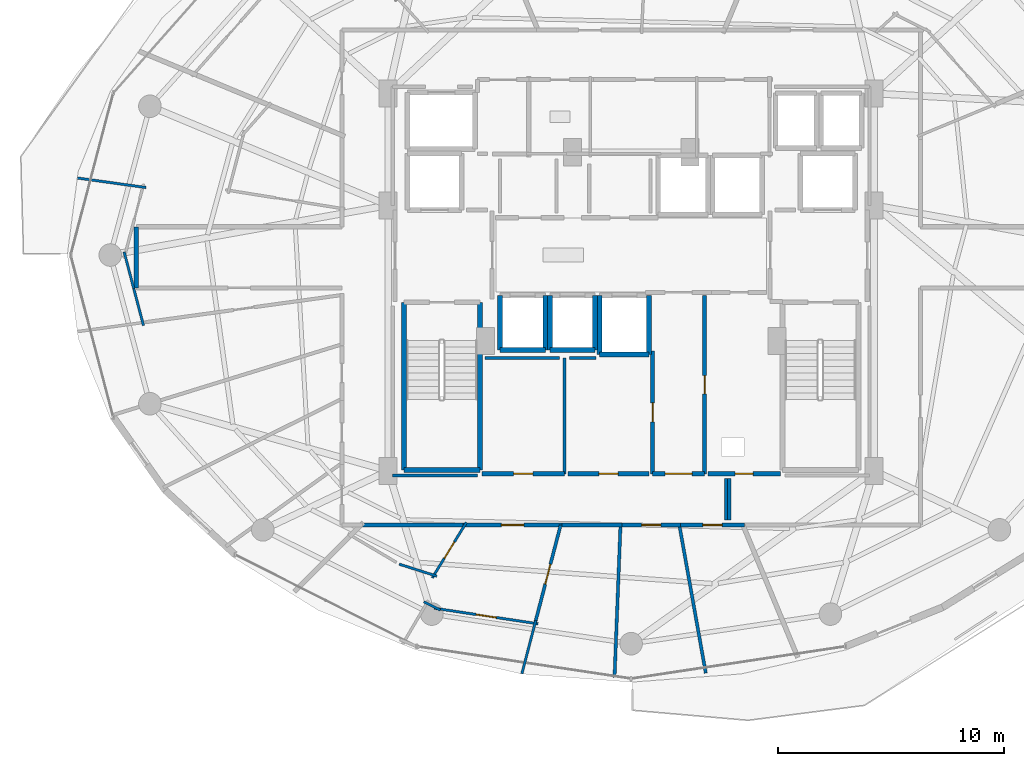
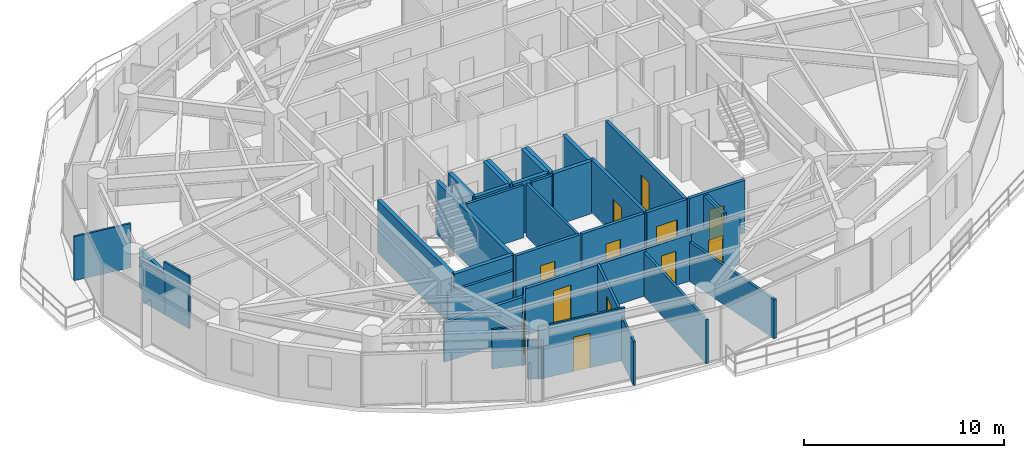
# One storey, part 21 of 29: 41 walls, 12 doors, 12 openings.
"""IFC4 building model written with IfcOpenShell, lengths in metres."""

from ifc_helpers import new_model, si_unit, direction, frame, frame_2d, origin, place, context, subcontext, project, spatial, rectangle, extrude, material, layer, layer_set, type_object, element, fill, save


model = new_model("IFC4")

# Units and contexts
model_context = context("Model", 3, precision=1e-05, world=origin(), true_north=direction((0.0, 1.0)))
body_context = subcontext(model_context, "Body", "Model", "MODEL_VIEW")
ifc_project = project(units=[si_unit("LENGTHUNIT", "METRE"), si_unit("AREAUNIT", "SQUARE_METRE"), si_unit("VOLUMEUNIT", "CUBIC_METRE"), si_unit("PLANEANGLEUNIT", "RADIAN"), si_unit("MASSUNIT", "GRAM", prefix="KILO")], contexts=[model_context])

# Site, building, storey
site_placement = place(None, origin())
site = spatial("IfcSite", under=ifc_project, at=site_placement, CompositionType="ELEMENT")
building_placement = place(site_placement, origin())
building = spatial("IfcBuilding", under=site, at=building_placement, Name="Vorneva Point Tower", CompositionType="ELEMENT")
storey_placement = place(building_placement, frame((0.0, 0.0, 171.10009765625)))
storey = spatial("IfcBuildingStorey", under=building, at=storey_placement, Name="L46", CompositionType="ELEMENT", Elevation=171.10009765625)

# Walls
ifc_material_1 = material(Name="Fire-rated acoustic gypsum stud partition", Category="gypsum")
ifc_layer_1 = layer(ifc_material_1, 0.110107421875)
ifc_layer_set_1 = layer_set([ifc_layer_1], Name="Fire-rated acoustic gypsum stud partition")
wall_type_1 = type_object("IfcWallType", Name="WL-PART-110", PredefinedType="PARTITIONING", material=ifc_layer_set_1)
wall_1_placement = place(storey_placement, frame((15.564453125, 26.135498046875, 0.0), z_axis=(0.0, 0.0, 1.0), x_axis=(0.254207281438, -0.967149759894, 0.0)))
element("IfcWall", 1, at=wall_1_placement, inside=storey, type_object=wall_type_1, Name="L46 Interior Partition 089", PredefinedType="PARTITIONING", context=body_context, shape_type="SweptSolid", body=[
    extrude(rectangle(XDim=1.6806640625, YDim=0.110107421875, at=frame_2d((0.84033203125, 0.0))), origin(), (0.0, 0.0, 1.0), 2.391845703125),
])
wall_2_placement = place(storey_placement, frame((15.96484375, 24.61279296875, 0.0), z_axis=(0.0, 0.0, 1.0), x_axis=(0.254285908831, -0.96712908992, 0.0)))
element("IfcWall", 2, at=wall_2_placement, inside=storey, type_object=wall_type_1, Name="L46 Interior Partition 090", PredefinedType="PARTITIONING", context=body_context, shape_type="SweptSolid", body=[
    extrude(rectangle(XDim=1.79638671875, YDim=0.110107421875, at=frame_2d((0.898193359375, 0.0))), origin(), (0.0, 0.0, 1.0), 3.199951171875),
])
wall_3_placement = place(storey_placement, frame((13.50341796875, 29.408203125, 0.0), z_axis=(0.0, 0.0, 1.0), x_axis=(0.990445036815, -0.137908045623, 0.0)))
element("IfcWall", 3, at=wall_3_placement, inside=storey, type_object=wall_type_1, Name="L46 Interior Partition 092", PredefinedType="PARTITIONING", context=body_context, shape_type="SweptSolid", body=[
    extrude(rectangle(XDim=3.0556640625, YDim=0.110107421875, at=frame_2d((1.52783203125, 0.0))), origin(), (0.0, 0.0, 1.0), 2.68798828125),
])

# Wall, opening, door
wall_4_placement = place(storey_placement, frame((30.71142578125, 14.169189453125, 0.0), z_axis=(0.0, 0.0, 1.0), x_axis=(-0.524536274856, -0.851388099729, 0.0)))
wall_4 = element("IfcWall", 4, at=wall_4_placement, inside=storey, type_object=wall_type_1, Name="L46 Interior Partition 099", PredefinedType="PARTITIONING", context=body_context, shape_type="SweptSolid", body=[
    extrude(rectangle(XDim=2.88623046875, YDim=0.110107421875, at=frame_2d((1.443115234375, 0.0))), origin(), (0.0, 0.0, 1.0), 2.833984375),
])
opening_1_placement = place(wall_4_placement, frame((1.01806640625, 0.0, 0.0)))
opening_1 = element("IfcOpeningElement", 5, at=opening_1_placement, cuts=wall_4, Name="Opening ID-02", PredefinedType="OPENING", context=body_context, shape_type="SweptSolid", body=[
    extrude(rectangle(XDim=0.85009765625, YDim=2.10009765625, at=frame_2d((0.425048828125, 1.050048828125))), frame((0.0, 0.06982421875, 0.0), z_axis=(0.0, -1.0, 0.0), x_axis=(1.0, 0.0, 0.0)), (0.0, 0.0, 1.0), 0.139892578125),
])
ifc_material_2 = material(Name="Engineered oak fire-rated door leaf", Category="wood")
door_type_1 = type_object("IfcDoorType", Name="DR-BATH-850", OperationType="NOTDEFINED", PredefinedType="DOOR", material=ifc_material_2)
door_1_placement = place(opening_1_placement, origin())
door_1 = element("IfcDoor", 6, at=door_1_placement, inside=storey, type_object=door_type_1, Name="L46 Door Living and Dining Room L46-05 / Bathroom L46-05", OperationType="SINGLE_SWING_LEFT", OverallHeight=2.10009765625, OverallWidth=0.85009765625, PredefinedType="DOOR", context=body_context, shape_type="SweptSolid", body=[
    extrude(rectangle(XDim=0.85009765625, YDim=2.10009765625, at=frame_2d((0.425048828125, 1.050048828125))), frame((0.0, 0.02490234375, 0.0), z_axis=(0.0, -1.0, 0.0), x_axis=(1.0, 0.0, 0.0)), (0.0, 0.0, 1.0), 0.050048828125),
])
fill(opening_1, door_1)

# Walls
wall_5_placement = place(storey_placement, frame((29.404296875, 11.788330078125, 0.0), z_axis=(0.0, 0.0, 1.0), x_axis=(-0.952663508426, 0.304026708881, 0.0)))
element("IfcWall", 7, at=wall_5_placement, inside=storey, type_object=wall_type_1, Name="L46 Interior Partition 100", PredefinedType="PARTITIONING", context=body_context, shape_type="SweptSolid", body=[
    extrude(rectangle(XDim=1.75048828125, YDim=0.110107421875, at=frame_2d((0.875244140625, 0.0))), origin(), (0.0, 0.0, 1.0), 2.391845703125),
])
wall_6_placement = place(storey_placement, frame((28.8271484375, 10.6533203125, 0.0), z_axis=(0.0, 0.0, 1.0), x_axis=(0.892195428052, -0.451649552378, 0.0)))
element("IfcWall", 8, at=wall_6_placement, inside=storey, type_object=wall_type_1, Name="L46 Interior Partition 103", PredefinedType="PARTITIONING", context=body_context, shape_type="SweptSolid", body=[
    extrude(rectangle(XDim=0.8134765625, YDim=0.110107421875, at=frame_2d((0.40673828125, 0.0))), origin(), (0.0, 0.0, 1.0), 2.391845703125),
])

# Wall, opening, door
wall_7_placement = place(storey_placement, frame((29.28955078125, 10.369873046875, 0.0), z_axis=(0.0, 0.0, 1.0), x_axis=(0.988895858235, -0.148610166425, 0.0)))
wall_7 = element("IfcWall", 9, at=wall_7_placement, inside=storey, type_object=wall_type_1, Name="L46 Interior Partition 104", PredefinedType="PARTITIONING", context=body_context, shape_type="SweptSolid", body=[
    extrude(rectangle(XDim=4.6474609375, YDim=0.110107421875, at=frame_2d((2.32373046875, 0.0))), origin(), (0.0, 0.0, 1.0), 3.199951171875),
])
opening_2_placement = place(wall_7_placement, frame((1.873779296875, 0.0, 0.0)))
opening_2 = element("IfcOpeningElement", 10, at=opening_2_placement, cuts=wall_7, Name="Opening ID-01", PredefinedType="OPENING", context=body_context, shape_type="SweptSolid", body=[
    extrude(rectangle(XDim=0.89990234375, YDim=2.10009765625, at=frame_2d((0.449951171875, 1.050048828125))), frame((0.0, 0.06982421875, 0.0), z_axis=(0.0, -1.0, 0.0), x_axis=(1.0, 0.0, 0.0)), (0.0, 0.0, 1.0), 0.139892578125),
])
door_type_2 = type_object("IfcDoorType", Name="DR-ROOM-900", OperationType="NOTDEFINED", PredefinedType="DOOR", material=ifc_material_2)
door_2_placement = place(opening_2_placement, origin())
door_2 = element("IfcDoor", 11, at=door_2_placement, inside=storey, type_object=door_type_2, Name="L46 Door Living and Dining Room L46-05 / Kitchen L46-05", OperationType="SINGLE_SWING_RIGHT", OverallHeight=2.10009765625, OverallWidth=0.89990234375, PredefinedType="DOOR", context=body_context, shape_type="SweptSolid", body=[
    extrude(rectangle(XDim=0.89990234375, YDim=2.10009765625, at=frame_2d((0.449951171875, 1.050048828125))), frame((0.0, 0.02490234375, 0.0), z_axis=(0.0, -1.0, 0.0), x_axis=(1.0, 0.0, 0.0)), (0.0, 0.0, 1.0), 0.050048828125),
])
fill(opening_2, door_2)

# Walls
wall_8_placement = place(storey_placement, frame((33.16552734375, 7.473388671875, 0.0), z_axis=(0.0, 0.0, 1.0), x_axis=(0.252710924929, 0.967541827737, 0.0)))
element("IfcWall", 12, at=wall_8_placement, inside=storey, type_object=wall_type_1, Name="L46 Interior Partition 107", PredefinedType="PARTITIONING", context=body_context, shape_type="SweptSolid", body=[
    extrude(rectangle(XDim=2.44140625, YDim=0.110107421875, at=frame_2d((1.220703125, 0.0))), origin(), (0.0, 0.0, 1.0), 2.68798828125),
])
ifc_layer_2 = layer(ifc_material_1, 0.139892578125)
ifc_layer_set_2 = layer_set([ifc_layer_2], Name="Fire-rated acoustic gypsum stud partition")
wall_type_2 = type_object("IfcWallType", Name="WL-PART-140", PredefinedType="PARTITIONING", material=ifc_layer_set_2)
wall_9_placement = place(storey_placement, frame((35.050048828125, 16.320068359375, 0.0), z_axis=(0.0, 0.0, 1.0), x_axis=(0.0, 1.0, 0.0)))
element("IfcWall", 13, at=wall_9_placement, inside=storey, type_object=wall_type_2, Name="L46 Interior Partition 026", PredefinedType="PARTITIONING", context=body_context, shape_type="SweptSolid", body=[
    extrude(rectangle(XDim=5.1298828125, YDim=0.139892578125, at=frame_2d((2.56494140625, 0.0))), origin(), (0.0, 0.0, 1.0), 3.199951171875),
])

# Wall, opening, door
wall_10_placement = place(storey_placement, frame((33.7470703125, 9.699951171875, 0.0), z_axis=(0.0, 0.0, 1.0), x_axis=(0.252463899176, 0.967606314372, 0.0)))
wall_10 = element("IfcWall", 14, at=wall_10_placement, inside=storey, type_object=wall_type_2, Name="L46 Interior Partition 106", PredefinedType="PARTITIONING", context=body_context, shape_type="SweptSolid", body=[
    extrude(rectangle(XDim=4.495849609375, YDim=0.139892578125, at=frame_2d((2.248046875, 0.0))), origin(), (0.0, 0.0, 1.0), 2.833984375),
])
opening_3_placement = place(wall_10_placement, frame((1.7978515625, 0.0, 0.0)))
opening_3 = element("IfcOpeningElement", 15, at=opening_3_placement, cuts=wall_10, Name="Opening ID-01", PredefinedType="OPENING", context=body_context, shape_type="SweptSolid", body=[
    extrude(rectangle(XDim=0.89990234375, YDim=2.10009765625, at=frame_2d((0.449951171875, 1.050048828125))), frame((0.0, 0.0849609375, 0.0), z_axis=(0.0, -1.0, 0.0), x_axis=(1.0, 0.0, 0.0)), (0.0, 0.0, 1.0), 0.169677734375),
])
door_3_placement = place(opening_3_placement, origin())
door_3 = element("IfcDoor", 16, at=door_3_placement, inside=storey, type_object=door_type_2, Name="L46 Door Living and Dining Room L46-05 / Master Bedroom L46-05.1", OperationType="SINGLE_SWING_LEFT", OverallHeight=2.10009765625, OverallWidth=0.89990234375, PredefinedType="DOOR", context=body_context, shape_type="SweptSolid", body=[
    extrude(rectangle(XDim=0.89990234375, YDim=2.10009765625, at=frame_2d((0.449951171875, 1.050048828125))), frame((0.0, 0.02490234375, 0.0), z_axis=(0.0, -1.0, 0.0), x_axis=(1.0, 0.0, 0.0)), (0.0, 0.0, 1.0), 0.050048828125),
])
fill(opening_3, door_3)

# Walls
wall_11_placement = place(storey_placement, frame((37.264892578125, 7.304931640625, 0.0), z_axis=(0.0, 0.0, 1.0), x_axis=(0.039277615957, 0.99922833671, 0.0)))
element("IfcWall", 17, at=wall_11_placement, inside=storey, type_object=wall_type_2, Name="L46 Interior Partition 108", PredefinedType="PARTITIONING", context=body_context, shape_type="SweptSolid", body=[
    extrude(rectangle(XDim=6.750244140625, YDim=0.139892578125, at=frame_2d((3.375, 0.0))), origin(), (0.0, 0.0, 1.0), 2.68798828125),
])
wall_12_placement = place(storey_placement, frame((41.303955078125, 7.4970703125, 0.0), z_axis=(0.0, 0.0, 1.0), x_axis=(-0.175753825846, 0.984434148484, 0.0)))
element("IfcWall", 18, at=wall_12_placement, inside=storey, type_object=wall_type_2, Name="L46 Interior Partition 109", PredefinedType="PARTITIONING", context=body_context, shape_type="SweptSolid", body=[
    extrude(rectangle(XDim=6.656494140625, YDim=0.139892578125, at=frame_2d((3.328125, 0.0))), origin(), (0.0, 0.0, 1.0), 2.391845703125),
])
wall_13_placement = place(storey_placement, frame((34.830078125, 21.449951171875, 0.0), z_axis=(0.0, 0.0, 1.0), x_axis=(-1.0, 0.0, 0.0)))
element("IfcWall", 19, at=wall_13_placement, inside=storey, type_object=wall_type_2, Name="L46 Interior Closure Partition 117", PredefinedType="PARTITIONING", context=body_context, shape_type="SweptSolid", body=[
    extrude(rectangle(XDim=3.300048828125, YDim=0.139892578125, at=frame_2d((1.64990234375, 0.0))), origin(), (0.0, 0.0, 1.0), 3.199951171875),
])
wall_14_placement = place(storey_placement, frame((36.43896484375, 21.449951171875, 0.0), z_axis=(0.0, 0.0, 1.0), x_axis=(-1.0, 0.0, 0.0)))
element("IfcWall", 20, at=wall_14_placement, inside=storey, type_object=wall_type_2, Name="L46 Interior Closure Partition 118", PredefinedType="PARTITIONING", context=body_context, shape_type="SweptSolid", body=[
    extrude(rectangle(XDim=1.158935546875, YDim=0.139892578125, at=frame_2d((0.57958984375, 0.0))), origin(), (0.0, 0.0, 1.0), 3.199951171875),
])
wall_15_placement = place(storey_placement, frame((27.449951171875, 16.239990234375, 0.0), z_axis=(0.0, 0.0, 1.0), x_axis=(1.0, 0.0, 0.0)))
element("IfcWall", 21, at=wall_15_placement, inside=storey, type_object=wall_type_2, Name="L46 Interior Closure Partition 130", PredefinedType="PARTITIONING", context=body_context, shape_type="SweptSolid", body=[
    extrude(rectangle(XDim=3.7451171875, YDim=0.139892578125, at=frame_2d((1.87255859375, 0.0))), origin(), (0.0, 0.0, 1.0), 2.391845703125),
])
for number, where, z_axis, x_axis, name in (
    (22, (42.199951171875, 16.10009765625, 0.0), (0.0, 0.0, 1.0), (0.0, -1.0, 0.0), "L46 Interior Closure Partition 131"),
    (23, (42.340087890625, 14.27001953125, 0.0), (0.0, 0.0, 1.0), (0.0, 1.0, 0.0), "L46 Interior Closure Partition 132"),
):
    element("IfcWall", number, at=place(storey_placement, frame(where, z_axis=z_axis, x_axis=x_axis)), inside=storey, type_object=wall_type_2, Name=name, PredefinedType="PARTITIONING", context=body_context, shape_type="SweptSolid", body=[
        extrude(rectangle(XDim=1.830078125, YDim=0.139892578125, at=frame_2d((0.9150390625, 0.0))), origin(), (0.0, 0.0, 1.0), 3.199951171875),
    ])

# Wall, opening, door
ifc_material_3 = material(Name="Autoclaved aerated concrete blockwork", Category="masonry")
ifc_layer_3 = layer(ifc_material_3, 0.179931640625)
ifc_layer_set_3 = layer_set([ifc_layer_3], Name="Autoclaved aerated concrete blockwork")
wall_type_3 = type_object("IfcWallType", Name="WL-PART-180", PredefinedType="PARTITIONING", material=ifc_layer_set_3)
wall_16_placement = place(storey_placement, frame((41.25, 16.320068359375, 0.0), z_axis=(0.0, 0.0, 1.0), x_axis=(0.0, 1.0, 0.0)))
wall_16 = element("IfcWall", 24, at=wall_16_placement, inside=storey, type_object=wall_type_3, Name="L46 Interior Partition 014", PredefinedType="PARTITIONING", context=body_context, shape_type="SweptSolid", body=[
    extrude(rectangle(XDim=7.8798828125, YDim=0.179931640625, at=frame_2d((3.93994140625, 0.0))), origin(), (0.0, 0.0, 1.0), 3.199951171875),
])
opening_4_placement = place(wall_16_placement, frame((3.5400390625, 0.0, 0.0)))
opening_4 = element("IfcOpeningElement", 25, at=opening_4_placement, cuts=wall_16, Name="Opening RD-01", PredefinedType="OPENING", context=body_context, shape_type="SweptSolid", body=[
    extrude(rectangle(XDim=0.800048828125, YDim=2.050048828125, at=frame_2d((0.39990234375, 1.02490234375))), frame((0.0, 0.10498046875, 0.0), z_axis=(0.0, -1.0, 0.0), x_axis=(1.0, 0.0, 0.0)), (0.0, 0.0, 1.0), 0.209716796875),
])
ifc_material_4 = material(Name="Fire-rated powder-coated steel", Category="steel")
door_type_3 = type_object("IfcDoorType", Name="DR-RSR-800", OperationType="SINGLE_SWING_LEFT", PredefinedType="DOOR", material=ifc_material_4)
door_4_placement = place(opening_4_placement, origin())
door_4 = element("IfcDoor", 26, at=door_4_placement, inside=storey, type_object=door_type_3, Name="L46 Door Core Service Lobby / Electrical Riser", OperationType="SINGLE_SWING_LEFT", OverallHeight=2.050048828125, OverallWidth=0.800048828125, PredefinedType="DOOR", context=body_context, shape_type="SweptSolid", body=[
    extrude(rectangle(XDim=0.800048828125, YDim=2.050048828125, at=frame_2d((0.39990234375, 1.02490234375))), frame((0.0, 0.02490234375, 0.0), z_axis=(0.0, -1.0, 0.0), x_axis=(1.0, 0.0, 0.0)), (0.0, 0.0, 1.0), 0.050048828125),
])
fill(opening_4, door_4)

wall_17_placement = place(storey_placement, frame((38.949951171875, 21.7548828125, 0.0), z_axis=(0.0, 0.0, 1.0), x_axis=(0.0, -1.0, 0.0)))
wall_17 = element("IfcWall", 27, at=wall_17_placement, inside=storey, type_object=wall_type_3, Name="L46 Interior Partition 015", PredefinedType="PARTITIONING", context=body_context, shape_type="SweptSolid", body=[
    extrude(rectangle(XDim=5.434814453125, YDim=0.179931640625, at=frame_2d((2.71728515625, 0.0))), origin(), (0.0, 0.0, 1.0), 3.199951171875),
])
opening_5_placement = place(wall_17_placement, frame((2.29248046875, 0.0, 0.0)))
opening_5 = element("IfcOpeningElement", 28, at=opening_5_placement, cuts=wall_17, Name="Opening ID-02", PredefinedType="OPENING", context=body_context, shape_type="SweptSolid", body=[
    extrude(rectangle(XDim=0.85009765625, YDim=2.10009765625, at=frame_2d((0.425048828125, 1.050048828125))), frame((0.0, 0.10498046875, 0.0), z_axis=(0.0, -1.0, 0.0), x_axis=(1.0, 0.0, 0.0)), (0.0, 0.0, 1.0), 0.209716796875),
])
door_5_placement = place(opening_5_placement, origin())
door_5 = element("IfcDoor", 29, at=door_5_placement, inside=storey, type_object=door_type_1, Name="L46 Door Core Service Lobby / Tenant Equipment Store", OperationType="SINGLE_SWING_RIGHT", OverallHeight=2.10009765625, OverallWidth=0.85009765625, PredefinedType="DOOR", context=body_context, shape_type="SweptSolid", body=[
    extrude(rectangle(XDim=0.85009765625, YDim=2.10009765625, at=frame_2d((0.425048828125, 1.050048828125))), frame((0.0, 0.02490234375, 0.0), z_axis=(0.0, -1.0, 0.0), x_axis=(1.0, 0.0, 0.0)), (0.0, 0.0, 1.0), 0.050048828125),
])
fill(opening_5, door_5)

wall_18_placement = place(storey_placement, frame((38.949951171875, 16.320068359375, 0.0), z_axis=(0.0, 0.0, 1.0), x_axis=(1.0, 0.0, 0.0)))
wall_18 = element("IfcWall", 30, at=wall_18_placement, inside=storey, type_object=wall_type_3, Name="L46 Interior Partition 016", PredefinedType="PARTITIONING", context=body_context, shape_type="SweptSolid", body=[
    extrude(rectangle(XDim=2.300048828125, YDim=0.179931640625, at=frame_2d((1.14990234375, 0.0))), origin(), (0.0, 0.0, 1.0), 3.199951171875),
])
opening_6_placement = place(wall_18_placement, frame((0.550048828125, 0.0, 0.0)))
opening_6 = element("IfcOpeningElement", 31, at=opening_6_placement, cuts=wall_18, Name="Opening FD-02", PredefinedType="OPENING", context=body_context, shape_type="SweptSolid", body=[
    extrude(rectangle(XDim=1.199951171875, YDim=2.14990234375, at=frame_2d((0.60009765625, 1.074951171875))), frame((0.0, 0.10498046875, 0.0), z_axis=(0.0, -1.0, 0.0), x_axis=(1.0, 0.0, 0.0)), (0.0, 0.0, 1.0), 0.209716796875),
])
door_type_4 = type_object("IfcDoorType", Name="DR-FFL-1200", OperationType="NOTDEFINED", PredefinedType="DOOR", material=ifc_material_4)
door_6_placement = place(opening_6_placement, origin())
door_6 = element("IfcDoor", 32, at=door_6_placement, inside=storey, type_object=door_type_4, Name="L46 Door Core Service Lobby / L46 Circulation Corridor", OperationType="SINGLE_SWING_LEFT", OverallHeight=2.14990234375, OverallWidth=1.199951171875, PredefinedType="DOOR", context=body_context, shape_type="SweptSolid", body=[
    extrude(rectangle(XDim=1.199951171875, YDim=2.14990234375, at=frame_2d((0.60009765625, 1.074951171875))), frame((0.0, 0.02490234375, 0.0), z_axis=(0.0, -1.0, 0.0), x_axis=(1.0, 0.0, 0.0)), (0.0, 0.0, 1.0), 0.050048828125),
])
fill(opening_6, door_6)

wall_19_placement = place(storey_placement, frame((41.39990234375, 16.320068359375, 0.0), z_axis=(0.0, 0.0, 1.0), x_axis=(1.0, 0.0, 0.0)))
wall_19 = element("IfcWall", 33, at=wall_19_placement, inside=storey, type_object=wall_type_3, Name="L46 Interior Partition 017", PredefinedType="PARTITIONING", context=body_context, shape_type="SweptSolid", body=[
    extrude(rectangle(XDim=3.2001953125, YDim=0.179931640625, at=frame_2d((1.60009765625, 0.0))), origin(), (0.0, 0.0, 1.0), 3.199951171875),
])
opening_7_placement = place(wall_19_placement, frame((1.199951171875, 0.0, 0.0)))
opening_7 = element("IfcOpeningElement", 34, at=opening_7_placement, cuts=wall_19, Name="Opening RD-01", PredefinedType="OPENING", context=body_context, shape_type="SweptSolid", body=[
    extrude(rectangle(XDim=0.800048828125, YDim=2.050048828125, at=frame_2d((0.39990234375, 1.02490234375))), frame((0.0, 0.10498046875, 0.0), z_axis=(0.0, -1.0, 0.0), x_axis=(1.0, 0.0, 0.0)), (0.0, 0.0, 1.0), 0.209716796875),
])
door_7_placement = place(opening_7_placement, origin())
door_7 = element("IfcDoor", 35, at=door_7_placement, inside=storey, type_object=door_type_3, Name="L46 Door Electrical Riser / L46 Circulation Corridor", OperationType="SINGLE_SWING_RIGHT", OverallHeight=2.050048828125, OverallWidth=0.800048828125, PredefinedType="DOOR", context=body_context, shape_type="SweptSolid", body=[
    extrude(rectangle(XDim=0.800048828125, YDim=2.050048828125, at=frame_2d((0.39990234375, 1.02490234375))), frame((0.0, 0.02490234375, 0.0), z_axis=(0.0, -1.0, 0.0), x_axis=(1.0, 0.0, 0.0)), (0.0, 0.0, 1.0), 0.050048828125),
])
fill(opening_7, door_7)

wall_20_placement = place(storey_placement, frame((31.39990234375, 16.320068359375, 0.0), z_axis=(0.0, 0.0, 1.0), x_axis=(1.0, 0.0, 0.0)))
wall_20 = element("IfcWall", 36, at=wall_20_placement, inside=storey, type_object=wall_type_3, Name="L46 Interior Partition 027", PredefinedType="PARTITIONING", context=body_context, shape_type="SweptSolid", body=[
    extrude(rectangle(XDim=3.650146484375, YDim=0.179931640625, at=frame_2d((1.8251953125, 0.0))), origin(), (0.0, 0.0, 1.0), 3.199951171875),
])
opening_8_placement = place(wall_20_placement, frame((1.39990234375, 0.0, 0.0)))
opening_8 = element("IfcOpeningElement", 37, at=opening_8_placement, cuts=wall_20, Name="Opening ID-02", PredefinedType="OPENING", context=body_context, shape_type="SweptSolid", body=[
    extrude(rectangle(XDim=0.85009765625, YDim=2.10009765625, at=frame_2d((0.425048828125, 1.050048828125))), frame((0.0, 0.10498046875, 0.0), z_axis=(0.0, -1.0, 0.0), x_axis=(1.0, 0.0, 0.0)), (0.0, 0.0, 1.0), 0.209716796875),
])
door_8_placement = place(opening_8_placement, origin())
door_8 = element("IfcDoor", 38, at=door_8_placement, inside=storey, type_object=door_type_1, Name="L46 Door Cleaners Store / L46 Circulation Corridor", OperationType="SINGLE_SWING_RIGHT", OverallHeight=2.10009765625, OverallWidth=0.85009765625, PredefinedType="DOOR", context=body_context, shape_type="SweptSolid", body=[
    extrude(rectangle(XDim=0.85009765625, YDim=2.10009765625, at=frame_2d((0.425048828125, 1.050048828125))), frame((0.0, 0.02490234375, 0.0), z_axis=(0.0, -1.0, 0.0), x_axis=(1.0, 0.0, 0.0)), (0.0, 0.0, 1.0), 0.050048828125),
])
fill(opening_8, door_8)

wall_21_placement = place(storey_placement, frame((35.199951171875, 16.320068359375, 0.0), z_axis=(0.0, 0.0, 1.0), x_axis=(1.0, 0.0, 0.0)))
wall_21 = element("IfcWall", 39, at=wall_21_placement, inside=storey, type_object=wall_type_3, Name="L46 Interior Partition 028", PredefinedType="PARTITIONING", context=body_context, shape_type="SweptSolid", body=[
    extrude(rectangle(XDim=3.60009765625, YDim=0.179931640625, at=frame_2d((1.800048828125, 0.0))), origin(), (0.0, 0.0, 1.0), 3.199951171875),
])
opening_9_placement = place(wall_21_placement, frame((1.375, 0.0, 0.0)))
opening_9 = element("IfcOpeningElement", 40, at=opening_9_placement, cuts=wall_21, Name="Opening ID-02", PredefinedType="OPENING", context=body_context, shape_type="SweptSolid", body=[
    extrude(rectangle(XDim=0.85009765625, YDim=2.10009765625, at=frame_2d((0.425048828125, 1.050048828125))), frame((0.0, 0.10498046875, 0.0), z_axis=(0.0, -1.0, 0.0), x_axis=(1.0, 0.0, 0.0)), (0.0, 0.0, 1.0), 0.209716796875),
])
door_9_placement = place(opening_9_placement, origin())
door_9 = element("IfcDoor", 41, at=door_9_placement, inside=storey, type_object=door_type_1, Name="L46 Door Tenant Equipment Store / L46 Circulation Corridor", OperationType="SINGLE_SWING_LEFT", OverallHeight=2.10009765625, OverallWidth=0.85009765625, PredefinedType="DOOR", context=body_context, shape_type="SweptSolid", body=[
    extrude(rectangle(XDim=0.85009765625, YDim=2.10009765625, at=frame_2d((0.425048828125, 1.050048828125))), frame((0.0, 0.02490234375, 0.0), z_axis=(0.0, -1.0, 0.0), x_axis=(1.0, 0.0, 0.0)), (0.0, 0.0, 1.0), 0.050048828125),
])
fill(opening_9, door_9)

# Wall
wall_22_placement = place(storey_placement, frame((16.10009765625, 27.25, 0.0), z_axis=(0.0, 0.0, 1.0), x_axis=(0.0, -1.0, 0.0)))
element("IfcWall", 42, at=wall_22_placement, inside=storey, type_object=wall_type_3, Name="L46 Interior Partition 037", PredefinedType="PARTITIONING", context=body_context, shape_type="SweptSolid", body=[
    extrude(rectangle(XDim=2.699951171875, YDim=0.179931640625, at=frame_2d((1.35009765625, 0.0))), origin(), (0.0, 0.0, 1.0), 2.391845703125),
])

# Wall, opening, door
wall_23_placement = place(storey_placement, frame((30.568115234375, 14.050048828125, 0.0), z_axis=(0.0, 0.0, 1.0), x_axis=(1.0, 0.0, 0.0)))
wall_23 = element("IfcWall", 43, at=wall_23_placement, inside=storey, type_object=wall_type_3, Name="L46 Interior Partition 047", PredefinedType="PARTITIONING", context=body_context, shape_type="SweptSolid", body=[
    extrude(rectangle(XDim=4.373779296875, YDim=0.179931640625, at=frame_2d((2.18701171875, 0.0))), origin(), (0.0, 0.0, 1.0), 2.833984375),
])
opening_10_placement = place(wall_23_placement, frame((1.68701171875, 0.0, 0.0)))
opening_10 = element("IfcOpeningElement", 44, at=opening_10_placement, cuts=wall_23, Name="Opening UD-01", PredefinedType="OPENING", context=body_context, shape_type="SweptSolid", body=[
    extrude(rectangle(XDim=1.0, YDim=2.14990234375, at=frame_2d((0.5, 1.074951171875))), frame((0.0, 0.10498046875, 0.0), z_axis=(0.0, -1.0, 0.0), x_axis=(1.0, 0.0, 0.0)), (0.0, 0.0, 1.0), 0.209716796875),
])
door_type_5 = type_object("IfcDoorType", Name="DR-UNIT-1000", OperationType="NOTDEFINED", PredefinedType="DOOR", material=ifc_material_2)
door_10_placement = place(opening_10_placement, origin())
door_10 = element("IfcDoor", 45, at=door_10_placement, inside=storey, type_object=door_type_5, Name="L46 Door L46 Circulation Corridor / Living and Dining Room L46-05", OperationType="SINGLE_SWING_RIGHT", OverallHeight=2.14990234375, OverallWidth=1.0, PredefinedType="DOOR", context=body_context, shape_type="SweptSolid", body=[
    extrude(rectangle(XDim=1.0, YDim=2.14990234375, at=frame_2d((0.5, 1.074951171875))), frame((0.0, 0.02490234375, 0.0), z_axis=(0.0, -1.0, 0.0), x_axis=(1.0, 0.0, 0.0)), (0.0, 0.0, 1.0), 0.050048828125),
])
fill(opening_10, door_10)

# Walls
wall_24_placement = place(storey_placement, frame((25.969970703125, 14.050048828125, 0.0), z_axis=(0.0, 0.0, 1.0), x_axis=(1.0, 0.0, 0.0)))
element("IfcWall", 46, at=wall_24_placement, inside=storey, type_object=wall_type_3, Name="L46 Interior Partition 048", PredefinedType="PARTITIONING", context=body_context, shape_type="SweptSolid", body=[
    extrude(rectangle(XDim=4.738037109375, YDim=0.179931640625, at=frame_2d((2.369140625, 0.0))), origin(), (0.0, 0.0, 1.0), 2.391845703125),
])
wall_25_placement = place(storey_placement, frame((34.94189453125, 14.050048828125, 0.0), z_axis=(0.0, 0.0, 1.0), x_axis=(1.0, 0.0, 0.0)))
element("IfcWall", 47, at=wall_25_placement, inside=storey, type_object=wall_type_3, Name="L46 Interior Partition 049", PredefinedType="PARTITIONING", context=body_context, shape_type="SweptSolid", body=[
    extrude(rectangle(XDim=2.648193359375, YDim=0.179931640625, at=frame_2d((1.32421875, 0.0))), origin(), (0.0, 0.0, 1.0), 2.833984375),
])

# Wall, opening, door
wall_26_placement = place(storey_placement, frame((37.590087890625, 14.050048828125, 0.0), z_axis=(0.0, 0.0, 1.0), x_axis=(1.0, 0.0, 0.0)))
wall_26 = element("IfcWall", 48, at=wall_26_placement, inside=storey, type_object=wall_type_3, Name="L46 Interior Partition 050", PredefinedType="PARTITIONING", context=body_context, shape_type="SweptSolid", body=[
    extrude(rectangle(XDim=2.60498046875, YDim=0.179931640625, at=frame_2d((1.302490234375, 0.0))), origin(), (0.0, 0.0, 1.0), 2.833984375),
])
opening_11_placement = place(wall_26_placement, frame((0.87744140625, 0.0, 0.0)))
opening_11 = element("IfcOpeningElement", 49, at=opening_11_placement, cuts=wall_26, Name="Opening ID-02", PredefinedType="OPENING", context=body_context, shape_type="SweptSolid", body=[
    extrude(rectangle(XDim=0.85009765625, YDim=2.10009765625, at=frame_2d((0.425048828125, 1.050048828125))), frame((0.0, 0.10498046875, 0.0), z_axis=(0.0, -1.0, 0.0), x_axis=(1.0, 0.0, 0.0)), (0.0, 0.0, 1.0), 0.209716796875),
])
door_11_placement = place(opening_11_placement, origin())
door_11 = element("IfcDoor", 50, at=door_11_placement, inside=storey, type_object=door_type_1, Name="L46 Access Door L46 Circulation Corridor", OperationType="SINGLE_SWING_LEFT", OverallHeight=2.10009765625, OverallWidth=0.85009765625, PredefinedType="DOOR", context=body_context, shape_type="SweptSolid", body=[
    extrude(rectangle(XDim=0.85009765625, YDim=2.10009765625, at=frame_2d((0.425048828125, 1.050048828125))), frame((0.0, 0.02490234375, 0.0), z_axis=(0.0, -1.0, 0.0), x_axis=(1.0, 0.0, 0.0)), (0.0, 0.0, 1.0), 0.050048828125),
])
fill(opening_11, door_11)

wall_27_placement = place(storey_placement, frame((40.195068359375, 14.050048828125, 0.0), z_axis=(0.0, 0.0, 1.0), x_axis=(1.0, 0.0, 0.0)))
wall_27 = element("IfcWall", 51, at=wall_27_placement, inside=storey, type_object=wall_type_3, Name="L46 Interior Partition 051", PredefinedType="PARTITIONING", context=body_context, shape_type="SweptSolid", body=[
    extrude(rectangle(XDim=2.81982421875, YDim=0.179931640625, at=frame_2d((1.409912109375, 0.0))), origin(), (0.0, 0.0, 1.0), 2.833984375),
])
opening_12_placement = place(wall_27_placement, frame((0.985107421875, 0.0, 0.0)))
opening_12 = element("IfcOpeningElement", 52, at=opening_12_placement, cuts=wall_27, Name="Opening ID-02", PredefinedType="OPENING", context=body_context, shape_type="SweptSolid", body=[
    extrude(rectangle(XDim=0.85009765625, YDim=2.10009765625, at=frame_2d((0.425048828125, 1.050048828125))), frame((0.0, 0.10498046875, 0.0), z_axis=(0.0, -1.0, 0.0), x_axis=(1.0, 0.0, 0.0)), (0.0, 0.0, 1.0), 0.209716796875),
])
door_12_placement = place(opening_12_placement, origin())
door_12 = element("IfcDoor", 53, at=door_12_placement, inside=storey, type_object=door_type_1, Name="L46 Access Door L46 Circulation Corridor", OperationType="SINGLE_SWING_RIGHT", OverallHeight=2.10009765625, OverallWidth=0.85009765625, PredefinedType="DOOR", context=body_context, shape_type="SweptSolid", body=[
    extrude(rectangle(XDim=0.85009765625, YDim=2.10009765625, at=frame_2d((0.425048828125, 1.050048828125))), frame((0.0, 0.02490234375, 0.0), z_axis=(0.0, -1.0, 0.0), x_axis=(1.0, 0.0, 0.0)), (0.0, 0.0, 1.0), 0.050048828125),
])
fill(opening_12, door_12)

# Walls
ifc_material_5 = material(Name="Concrete B50 (C40/50)", Category="concrete")
ifc_layer_4 = layer(ifc_material_5, 0.219970703125)
ifc_layer_set_4 = layer_set([ifc_layer_4], Name="Concrete B50 (C40/50)")
wall_type_4 = type_object("IfcWallType", Name="WL-SHFT-220", PredefinedType="SOLIDWALL", material=ifc_layer_set_4)
wall_28_placement = place(storey_placement, frame((31.31005859375, 23.909912109375, 0.0), z_axis=(0.0, 0.0, 1.0), x_axis=(0.0, -1.0, 0.0)))
element("IfcWall", 54, at=wall_28_placement, inside=storey, type_object=wall_type_4, Name="L46 Exit Stair ST1 Shaft Wall right", PredefinedType="SOLIDWALL", context=body_context, shape_type="SweptSolid", body=[
    extrude(rectangle(XDim=7.419921875, YDim=0.219970703125, at=frame_2d((3.7099609375, 0.0))), origin(), (0.0, 0.0, 1.0), 3.199951171875),
])
wall_29_placement = place(storey_placement, frame((31.31005859375, 16.489990234375, 0.0), z_axis=(0.0, 0.0, 1.0), x_axis=(-1.0, 0.0, 0.0)))
element("IfcWall", 55, at=wall_29_placement, inside=storey, type_object=wall_type_4, Name="L46 Exit Stair ST1 Shaft Wall far", PredefinedType="SOLIDWALL", context=body_context, shape_type="SweptSolid", body=[
    extrude(rectangle(XDim=3.3701171875, YDim=0.219970703125, at=frame_2d((1.68505859375, 0.0))), origin(), (0.0, 0.0, 1.0), 3.199951171875),
])
wall_30_placement = place(storey_placement, frame((27.93994140625, 16.489990234375, 0.0), z_axis=(0.0, 0.0, 1.0), x_axis=(0.0, 1.0, 0.0)))
element("IfcWall", 56, at=wall_30_placement, inside=storey, type_object=wall_type_4, Name="L46 Exit Stair ST1 Shaft Wall left", PredefinedType="SOLIDWALL", context=body_context, shape_type="SweptSolid", body=[
    extrude(rectangle(XDim=7.419921875, YDim=0.219970703125, at=frame_2d((3.7099609375, 0.0))), origin(), (0.0, 0.0, 1.0), 3.199951171875),
])
wall_31_placement = place(storey_placement, frame((32.199951171875, 21.800048828125, 0.0), z_axis=(0.0, 0.0, 1.0), x_axis=(1.0, 0.0, 0.0)))
element("IfcWall", 57, at=wall_31_placement, inside=storey, type_object=wall_type_4, Name="L46 Lift PL4 Shaft Wall -Y", PredefinedType="SOLIDWALL", context=body_context, shape_type="SweptSolid", body=[
    extrude(rectangle(XDim=2.0, YDim=0.219970703125, at=frame_2d((1.0, 0.0))), origin(), (0.0, 0.0, 1.0), 3.199951171875),
])
for number, where, z_axis, x_axis, name in (
    (58, (34.199951171875, 21.800048828125, 0.0), (0.0, 0.0, 1.0), (0.0, 1.0, 0.0), "L46 Lift PL4 Shaft Wall +X"),
    (59, (32.199951171875, 24.199951171875, 0.0), (0.0, 0.0, 1.0), (0.0, -1.0, 0.0), "L46 Lift PL4 Shaft Wall -X"),
):
    element("IfcWall", number, at=place(storey_placement, frame(where, z_axis=z_axis, x_axis=x_axis)), inside=storey, type_object=wall_type_4, Name=name, PredefinedType="SOLIDWALL", context=body_context, shape_type="SweptSolid", body=[
        extrude(rectangle(XDim=2.39990234375, YDim=0.219970703125, at=frame_2d((1.199951171875, 0.0))), origin(), (0.0, 0.0, 1.0), 3.199951171875),
    ])
wall_32_placement = place(storey_placement, frame((34.39990234375, 21.800048828125, 0.0), z_axis=(0.0, 0.0, 1.0), x_axis=(1.0, 0.0, 0.0)))
element("IfcWall", 60, at=wall_32_placement, inside=storey, type_object=wall_type_4, Name="L46 Lift PL5 Shaft Wall -Y", PredefinedType="SOLIDWALL", context=body_context, shape_type="SweptSolid", body=[
    extrude(rectangle(XDim=2.0, YDim=0.219970703125, at=frame_2d((1.0, 0.0))), origin(), (0.0, 0.0, 1.0), 3.199951171875),
])
for number, where, z_axis, x_axis, name in (
    (61, (36.39990234375, 21.800048828125, 0.0), (0.0, 0.0, 1.0), (0.0, 1.0, 0.0), "L46 Lift PL5 Shaft Wall +X"),
    (62, (34.39990234375, 24.199951171875, 0.0), (0.0, 0.0, 1.0), (0.0, -1.0, 0.0), "L46 Lift PL5 Shaft Wall -X"),
):
    element("IfcWall", number, at=place(storey_placement, frame(where, z_axis=z_axis, x_axis=x_axis)), inside=storey, type_object=wall_type_4, Name=name, PredefinedType="SOLIDWALL", context=body_context, shape_type="SweptSolid", body=[
        extrude(rectangle(XDim=2.39990234375, YDim=0.219970703125, at=frame_2d((1.199951171875, 0.0))), origin(), (0.0, 0.0, 1.0), 3.199951171875),
    ])
wall_33_placement = place(storey_placement, frame((36.60009765625, 21.60009765625, 0.0), z_axis=(0.0, 0.0, 1.0), x_axis=(1.0, 0.0, 0.0)))
element("IfcWall", 63, at=wall_33_placement, inside=storey, type_object=wall_type_4, Name="L46 Lift PL6 Shaft Wall -Y", PredefinedType="SOLIDWALL", context=body_context, shape_type="SweptSolid", body=[
    extrude(rectangle(XDim=2.199951171875, YDim=0.219970703125, at=frame_2d((1.10009765625, 0.0))), origin(), (0.0, 0.0, 1.0), 3.199951171875),
])
for number, where, z_axis, x_axis, name in (
    (64, (38.800048828125, 21.60009765625, 0.0), (0.0, 0.0, 1.0), (0.0, 1.0, 0.0), "L46 Lift PL6 Shaft Wall +X"),
    (65, (36.60009765625, 24.199951171875, 0.0), (0.0, 0.0, 1.0), (0.0, -1.0, 0.0), "L46 Lift PL6 Shaft Wall -X"),
):
    element("IfcWall", number, at=place(storey_placement, frame(where, z_axis=z_axis, x_axis=x_axis)), inside=storey, type_object=wall_type_4, Name=name, PredefinedType="SOLIDWALL", context=body_context, shape_type="SweptSolid", body=[
        extrude(rectangle(XDim=2.599853515625, YDim=0.219970703125, at=frame_2d((1.2998046875, 0.0))), origin(), (0.0, 0.0, 1.0), 3.199951171875),
    ])

save(model, "model.ifc")
